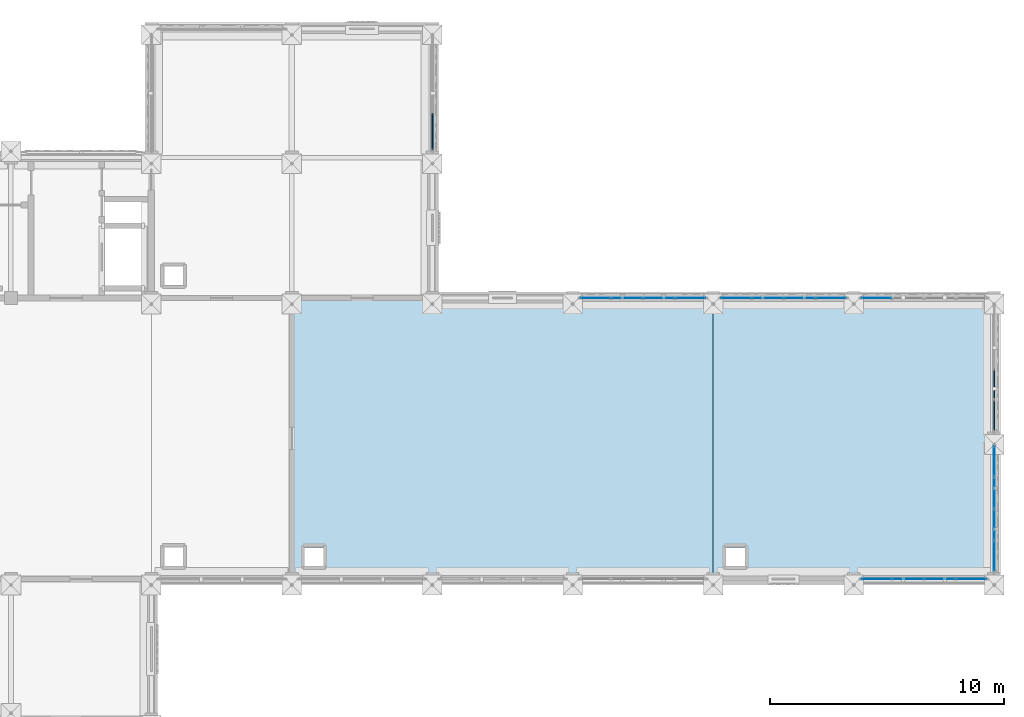
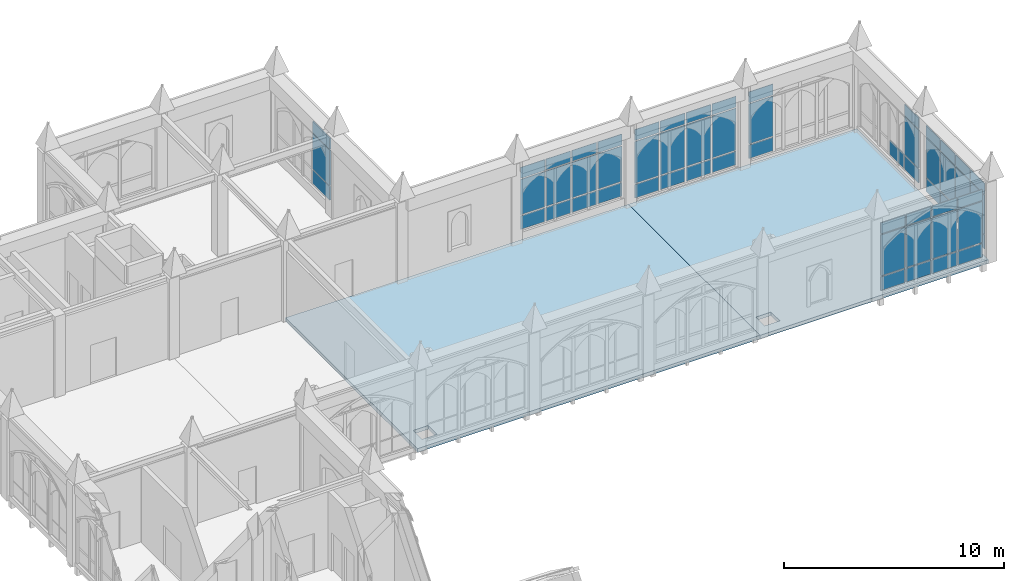
# One storey, part 71 of 108: 58 plates, 2 slabs, 7 elements without a shape of their own.
"""IFC4 building model written with IfcOpenShell, lengths in metres."""

from ifc_helpers import new_model, si_unit, direction, frame, origin, origin_2d, place, context, subcontext, project, spatial, polyline, rectangle, outline, extrude, material, layer, layer_set, type_object, element, aggregate, save


model = new_model("IFC4")

# Units and contexts
model_context = context("Model", 3, precision=1e-05, world=origin(), true_north=direction((0.0, 1.0)))
body_context = subcontext(model_context, "Body", "Model", "MODEL_VIEW")
ifc_project = project(units=[si_unit("LENGTHUNIT", "METRE"), si_unit("AREAUNIT", "SQUARE_METRE"), si_unit("VOLUMEUNIT", "CUBIC_METRE"), si_unit("PLANEANGLEUNIT", "RADIAN"), si_unit("MASSUNIT", "GRAM", prefix="KILO")], contexts=[model_context])

# Site, building, storey
site_placement = place(None, origin())
site = spatial("IfcSite", under=ifc_project, at=site_placement, CompositionType="ELEMENT")
building_placement = place(site_placement, origin())
building = spatial("IfcBuilding", under=site, at=building_placement, Name="Cumevento Cable Car Station", CompositionType="ELEMENT")
storey_placement = place(building_placement, frame((0.0, 0.0, 13.5)))
storey = spatial("IfcBuildingStorey", under=building, at=storey_placement, Name="L04", CompositionType="ELEMENT", Elevation=13.5)

# Slabs
ifc_material_1 = material(Name="Concrete C40/50", Category="concrete")
ifc_layer_1 = layer(ifc_material_1, 0.199951171875)
ifc_layer_set_1 = layer_set([ifc_layer_1], Name="Concrete C40/50")
slab_type = type_object("IfcSlabType", Name="Concrete Deck FS-200 200", PredefinedType="FLOOR", material=ifc_layer_set_1)
slab_1_placement = place(storey_placement, frame((0.0, 0.0, -0.199951171875)))
element("IfcSlab", 1, at=slab_1_placement, inside=storey, type_object=slab_type, Name="Floor Slab FS-200 L04 B_V5b.1", PredefinedType="FLOOR", context=body_context, shape_type="SweptSolid", body=[
    extrude(outline(polyline([(136.0, 33.0), (154.0, 33.0), (154.0, 45.0), (136.0, 45.0), (136.0, 33.0)]), holes=[polyline([(136.550048828125, 33.550048828125), (137.35009765625, 33.550048828125), (137.35009765625, 34.35009765625), (136.550048828125, 34.35009765625), (136.550048828125, 33.550048828125)])]), origin(), (0.0, 0.0, 1.0), 0.199951171875),
])
slab_2_placement = place(storey_placement, frame((0.0, 0.0, -0.199951171875)))
element("IfcSlab", 2, at=slab_2_placement, inside=storey, type_object=slab_type, Name="Floor Slab FS-200 L04 B_V5b.2", PredefinedType="FLOOR", context=body_context, shape_type="SweptSolid", body=[
    extrude(outline(polyline([(154.0, 33.0), (166.0, 33.0), (166.0, 45.0), (154.0, 45.0), (154.0, 33.0)]), holes=[polyline([(154.550048828125, 33.550048828125), (155.35009765625, 33.550048828125), (155.35009765625, 34.35009765625), (154.550048828125, 34.35009765625), (154.550048828125, 33.550048828125)])]), origin(), (0.0, 0.0, 1.0), 0.199951171875),
])

# Curtain wall, plates
ifc_material_2 = material(Name="Anodised Bronze Aluminium AW-6063-T6", Category="aluminium")
ifc_layer_2 = layer(ifc_material_2, 0.201904296875)
ifc_layer_set_2 = layer_set([ifc_layer_2], Name="Anodised Bronze Aluminium AW-6063-T6")
curtain_wall_type_1 = type_object("IfcCurtainWallType", Name="Lancet Curtain Wall CW-08 1330", PredefinedType="NOTDEFINED", material=ifc_layer_set_2)
curtain_wall_1_placement = place(storey_placement, origin())
curtain_wall_1 = element("IfcCurtainWall", 3, at=curtain_wall_1_placement, inside=storey, type_object=curtain_wall_type_1, Name="Lancet Curtain Wall CW-08 L04 #183", PredefinedType="NOTDEFINED")
ifc_material_3 = material(Name="Solar Control Laminated Double Glazing", Category="glass")
ifc_layer_3 = layer(ifc_material_3, 0.02587890625)
ifc_layer_set_3 = layer_set([ifc_layer_3], Name="Solar Control Laminated Double Glazing")
plate_type_1 = type_object("IfcPlateType", Name="Glazed Panel CWP-02 26", PredefinedType="CURTAIN_PANEL", material=ifc_layer_set_3)
plate_1_placement = place(storey_placement, frame((148.972412109375, 45.0, 0.5849609375), z_axis=(0.0, 0.0, 1.0), x_axis=(1.0, 0.0, 0.0)))
plate_1 = element("IfcPlate", 4, at=plate_1_placement, type_object=plate_type_1, Name="CW-08 panel 1.1", PredefinedType="CURTAIN_PANEL", context=body_context, shape_type="SweptSolid", body=[
    extrude(rectangle(XDim=1.264892578125, YDim=0.02587890625, at=origin_2d()), origin(), (0.0, 0.0, 1.0), 0.75244140625),
])
plate_2_placement = place(storey_placement, frame((148.972412109375, 45.0, 1.402587890625), z_axis=(0.0, 0.0, 1.0), x_axis=(1.0, 0.0, 0.0)))
plate_2 = element("IfcPlate", 5, at=plate_2_placement, type_object=plate_type_1, Name="CW-08 panel 1.2", PredefinedType="CURTAIN_PANEL", context=body_context, shape_type="SweptSolid", body=[
    extrude(rectangle(XDim=1.264892578125, YDim=0.02587890625, at=origin_2d()), origin(), (0.0, 0.0, 1.0), 1.9580078125),
])
plate_3_placement = place(storey_placement, frame((148.972412109375, 45.0, 3.425537109375), z_axis=(0.0, 0.0, 1.0), x_axis=(1.0, 0.0, 0.0)))
plate_3 = element("IfcPlate", 6, at=plate_3_placement, type_object=plate_type_1, Name="CW-08 panel 1.3", PredefinedType="CURTAIN_PANEL", context=body_context, shape_type="SweptSolid", body=[
    extrude(rectangle(XDim=1.264892578125, YDim=0.02587890625, at=origin_2d()), origin(), (0.0, 0.0, 1.0), 0.6025390625),
])
plate_4_placement = place(storey_placement, frame((150.31884765625, 45.0, 0.5849609375), z_axis=(0.0, 0.0, 1.0), x_axis=(1.0, 0.0, 0.0)))
plate_4 = element("IfcPlate", 7, at=plate_4_placement, type_object=plate_type_1, Name="CW-08 panel 2.1", PredefinedType="CURTAIN_PANEL", context=body_context, shape_type="SweptSolid", body=[
    extrude(rectangle(XDim=1.297607421875, YDim=0.02587890625, at=origin_2d()), origin(), (0.0, 0.0, 1.0), 0.75244140625),
])
plate_5_placement = place(storey_placement, frame((150.31884765625, 45.0, 1.402587890625), z_axis=(0.0, 0.0, 1.0), x_axis=(1.0, 0.0, 0.0)))
plate_5 = element("IfcPlate", 8, at=plate_5_placement, type_object=plate_type_1, Name="CW-08 panel 2.2", PredefinedType="CURTAIN_PANEL", context=body_context, shape_type="SweptSolid", body=[
    extrude(rectangle(XDim=1.297607421875, YDim=0.02587890625, at=origin_2d()), origin(), (0.0, 0.0, 1.0), 1.9580078125),
])
plate_6_placement = place(storey_placement, frame((150.31884765625, 45.0, 3.425537109375), z_axis=(0.0, 0.0, 1.0), x_axis=(1.0, 0.0, 0.0)))
plate_6 = element("IfcPlate", 9, at=plate_6_placement, type_object=plate_type_1, Name="CW-08 panel 2.3", PredefinedType="CURTAIN_PANEL", context=body_context, shape_type="SweptSolid", body=[
    extrude(rectangle(XDim=1.297607421875, YDim=0.02587890625, at=origin_2d()), origin(), (0.0, 0.0, 1.0), 0.6025390625),
])
plate_7_placement = place(storey_placement, frame((151.68115234375, 45.0, 0.5849609375), z_axis=(0.0, 0.0, 1.0), x_axis=(1.0, 0.0, 0.0)))
plate_7 = element("IfcPlate", 10, at=plate_7_placement, type_object=plate_type_1, Name="CW-08 panel 3.1", PredefinedType="CURTAIN_PANEL", context=body_context, shape_type="SweptSolid", body=[
    extrude(rectangle(XDim=1.297607421875, YDim=0.02587890625, at=origin_2d()), origin(), (0.0, 0.0, 1.0), 0.75244140625),
])
plate_8_placement = place(storey_placement, frame((151.68115234375, 45.0, 1.402587890625), z_axis=(0.0, 0.0, 1.0), x_axis=(1.0, 0.0, 0.0)))
plate_8 = element("IfcPlate", 11, at=plate_8_placement, type_object=plate_type_1, Name="CW-08 panel 3.2", PredefinedType="CURTAIN_PANEL", context=body_context, shape_type="SweptSolid", body=[
    extrude(rectangle(XDim=1.297607421875, YDim=0.02587890625, at=origin_2d()), origin(), (0.0, 0.0, 1.0), 1.9580078125),
])
plate_9_placement = place(storey_placement, frame((151.68115234375, 45.0, 3.425537109375), z_axis=(0.0, 0.0, 1.0), x_axis=(1.0, 0.0, 0.0)))
plate_9 = element("IfcPlate", 12, at=plate_9_placement, type_object=plate_type_1, Name="CW-08 panel 3.3", PredefinedType="CURTAIN_PANEL", context=body_context, shape_type="SweptSolid", body=[
    extrude(rectangle(XDim=1.297607421875, YDim=0.02587890625, at=origin_2d()), origin(), (0.0, 0.0, 1.0), 0.6025390625),
])
plate_10_placement = place(storey_placement, frame((153.027587890625, 45.0, 0.5849609375), z_axis=(0.0, 0.0, 1.0), x_axis=(1.0, 0.0, 0.0)))
plate_10 = element("IfcPlate", 13, at=plate_10_placement, type_object=plate_type_1, Name="CW-08 panel 4.1", PredefinedType="CURTAIN_PANEL", context=body_context, shape_type="SweptSolid", body=[
    extrude(rectangle(XDim=1.264892578125, YDim=0.02587890625, at=origin_2d()), origin(), (0.0, 0.0, 1.0), 0.75244140625),
])
plate_11_placement = place(storey_placement, frame((153.027587890625, 45.0, 1.402587890625), z_axis=(0.0, 0.0, 1.0), x_axis=(1.0, 0.0, 0.0)))
plate_11 = element("IfcPlate", 14, at=plate_11_placement, type_object=plate_type_1, Name="CW-08 panel 4.2", PredefinedType="CURTAIN_PANEL", context=body_context, shape_type="SweptSolid", body=[
    extrude(rectangle(XDim=1.264892578125, YDim=0.02587890625, at=origin_2d()), origin(), (0.0, 0.0, 1.0), 1.9580078125),
])
plate_12_placement = place(storey_placement, frame((153.027587890625, 45.0, 3.425537109375), z_axis=(0.0, 0.0, 1.0), x_axis=(1.0, 0.0, 0.0)))
plate_12 = element("IfcPlate", 15, at=plate_12_placement, type_object=plate_type_1, Name="CW-08 panel 4.3", PredefinedType="CURTAIN_PANEL", context=body_context, shape_type="SweptSolid", body=[
    extrude(rectangle(XDim=1.264892578125, YDim=0.02587890625, at=origin_2d()), origin(), (0.0, 0.0, 1.0), 0.6025390625),
])
aggregate(curtain_wall_1, [plate_1, plate_2, plate_3, plate_4, plate_5, plate_6, plate_7, plate_8, plate_9, plate_10, plate_11, plate_12])

ifc_material_4 = material(Name="Anodised Bronze Aluminium AW-6063-T6", Category="aluminium")
ifc_layer_4 = layer(ifc_material_4, 0.2080078125)
ifc_layer_set_4 = layer_set([ifc_layer_4], Name="Anodised Bronze Aluminium AW-6063-T6")
curtain_wall_type_2 = type_object("IfcCurtainWallType", Name="Lancet Curtain Wall CW-09 1370", PredefinedType="NOTDEFINED", material=ifc_layer_set_4)
curtain_wall_2_placement = place(storey_placement, origin())
curtain_wall_2 = element("IfcCurtainWall", 16, at=curtain_wall_2_placement, inside=storey, type_object=curtain_wall_type_2, Name="Lancet Curtain Wall CW-09 L04 #184", PredefinedType="NOTDEFINED")
ifc_material_5 = material(Name="Solar Control Laminated Double Glazing", Category="glass")
ifc_layer_5 = layer(ifc_material_5, 0.030029296875)
ifc_layer_set_5 = layer_set([ifc_layer_5], Name="Solar Control Laminated Double Glazing")
plate_type_2 = type_object("IfcPlateType", Name="Glazed Panel CWP-03 30", PredefinedType="CURTAIN_PANEL", material=ifc_layer_set_5)
plate_13_placement = place(storey_placement, frame((154.972412109375, 45.0, 0.22509765625), z_axis=(0.0, 0.0, 1.0), x_axis=(1.0, 0.0, 0.0)))
plate_13 = element("IfcPlate", 17, at=plate_13_placement, type_object=plate_type_2, Name="CW-09 panel 1.1", PredefinedType="CURTAIN_PANEL", context=body_context, shape_type="SweptSolid", body=[
    extrude(rectangle(XDim=1.264892578125, YDim=0.030029296875, at=origin_2d()), origin(), (0.0, 0.0, 1.0), 0.75244140625),
])
plate_14_placement = place(storey_placement, frame((154.972412109375, 45.0, 1.04248046875), z_axis=(0.0, 0.0, 1.0), x_axis=(1.0, 0.0, 0.0)))
plate_14 = element("IfcPlate", 18, at=plate_14_placement, type_object=plate_type_2, Name="CW-09 panel 1.2", PredefinedType="CURTAIN_PANEL", context=body_context, shape_type="SweptSolid", body=[
    extrude(rectangle(XDim=1.264892578125, YDim=0.030029296875, at=origin_2d()), origin(), (0.0, 0.0, 1.0), 2.318115234375),
])
plate_15_placement = place(storey_placement, frame((154.972412109375, 45.0, 3.425537109375), z_axis=(0.0, 0.0, 1.0), x_axis=(1.0, 0.0, 0.0)))
plate_15 = element("IfcPlate", 19, at=plate_15_placement, type_object=plate_type_2, Name="CW-09 panel 1.3", PredefinedType="CURTAIN_PANEL", context=body_context, shape_type="SweptSolid", body=[
    extrude(rectangle(XDim=1.264892578125, YDim=0.030029296875, at=origin_2d()), origin(), (0.0, 0.0, 1.0), 0.6025390625),
])
plate_16_placement = place(storey_placement, frame((156.31884765625, 45.0, 0.22509765625), z_axis=(0.0, 0.0, 1.0), x_axis=(1.0, 0.0, 0.0)))
plate_16 = element("IfcPlate", 20, at=plate_16_placement, type_object=plate_type_2, Name="CW-09 panel 2.1", PredefinedType="CURTAIN_PANEL", context=body_context, shape_type="SweptSolid", body=[
    extrude(rectangle(XDim=1.297607421875, YDim=0.030029296875, at=origin_2d()), origin(), (0.0, 0.0, 1.0), 0.75244140625),
])
plate_17_placement = place(storey_placement, frame((156.31884765625, 45.0, 1.04248046875), z_axis=(0.0, 0.0, 1.0), x_axis=(1.0, 0.0, 0.0)))
plate_17 = element("IfcPlate", 21, at=plate_17_placement, type_object=plate_type_2, Name="CW-09 panel 2.2", PredefinedType="CURTAIN_PANEL", context=body_context, shape_type="SweptSolid", body=[
    extrude(rectangle(XDim=1.297607421875, YDim=0.030029296875, at=origin_2d()), origin(), (0.0, 0.0, 1.0), 2.318115234375),
])
plate_18_placement = place(storey_placement, frame((156.31884765625, 45.0, 3.425537109375), z_axis=(0.0, 0.0, 1.0), x_axis=(1.0, 0.0, 0.0)))
plate_18 = element("IfcPlate", 22, at=plate_18_placement, type_object=plate_type_2, Name="CW-09 panel 2.3", PredefinedType="CURTAIN_PANEL", context=body_context, shape_type="SweptSolid", body=[
    extrude(rectangle(XDim=1.297607421875, YDim=0.030029296875, at=origin_2d()), origin(), (0.0, 0.0, 1.0), 0.6025390625),
])
plate_19_placement = place(storey_placement, frame((157.68115234375, 45.0, 0.22509765625), z_axis=(0.0, 0.0, 1.0), x_axis=(1.0, 0.0, 0.0)))
plate_19 = element("IfcPlate", 23, at=plate_19_placement, type_object=plate_type_2, Name="CW-09 panel 3.1", PredefinedType="CURTAIN_PANEL", context=body_context, shape_type="SweptSolid", body=[
    extrude(rectangle(XDim=1.297607421875, YDim=0.030029296875, at=origin_2d()), origin(), (0.0, 0.0, 1.0), 0.75244140625),
])
plate_20_placement = place(storey_placement, frame((157.68115234375, 45.0, 1.04248046875), z_axis=(0.0, 0.0, 1.0), x_axis=(1.0, 0.0, 0.0)))
plate_20 = element("IfcPlate", 24, at=plate_20_placement, type_object=plate_type_2, Name="CW-09 panel 3.2", PredefinedType="CURTAIN_PANEL", context=body_context, shape_type="SweptSolid", body=[
    extrude(rectangle(XDim=1.297607421875, YDim=0.030029296875, at=origin_2d()), origin(), (0.0, 0.0, 1.0), 2.318115234375),
])
plate_21_placement = place(storey_placement, frame((157.68115234375, 45.0, 3.425537109375), z_axis=(0.0, 0.0, 1.0), x_axis=(1.0, 0.0, 0.0)))
plate_21 = element("IfcPlate", 25, at=plate_21_placement, type_object=plate_type_2, Name="CW-09 panel 3.3", PredefinedType="CURTAIN_PANEL", context=body_context, shape_type="SweptSolid", body=[
    extrude(rectangle(XDim=1.297607421875, YDim=0.030029296875, at=origin_2d()), origin(), (0.0, 0.0, 1.0), 0.6025390625),
])
plate_22_placement = place(storey_placement, frame((159.027587890625, 45.0, 0.22509765625), z_axis=(0.0, 0.0, 1.0), x_axis=(1.0, 0.0, 0.0)))
plate_22 = element("IfcPlate", 26, at=plate_22_placement, type_object=plate_type_2, Name="CW-09 panel 4.1", PredefinedType="CURTAIN_PANEL", context=body_context, shape_type="SweptSolid", body=[
    extrude(rectangle(XDim=1.264892578125, YDim=0.030029296875, at=origin_2d()), origin(), (0.0, 0.0, 1.0), 0.75244140625),
])
plate_23_placement = place(storey_placement, frame((159.027587890625, 45.0, 1.04248046875), z_axis=(0.0, 0.0, 1.0), x_axis=(1.0, 0.0, 0.0)))
plate_23 = element("IfcPlate", 27, at=plate_23_placement, type_object=plate_type_2, Name="CW-09 panel 4.2", PredefinedType="CURTAIN_PANEL", context=body_context, shape_type="SweptSolid", body=[
    extrude(rectangle(XDim=1.264892578125, YDim=0.030029296875, at=origin_2d()), origin(), (0.0, 0.0, 1.0), 2.318115234375),
])
plate_24_placement = place(storey_placement, frame((159.027587890625, 45.0, 3.425537109375), z_axis=(0.0, 0.0, 1.0), x_axis=(1.0, 0.0, 0.0)))
plate_24 = element("IfcPlate", 28, at=plate_24_placement, type_object=plate_type_2, Name="CW-09 panel 4.3", PredefinedType="CURTAIN_PANEL", context=body_context, shape_type="SweptSolid", body=[
    extrude(rectangle(XDim=1.264892578125, YDim=0.030029296875, at=origin_2d()), origin(), (0.0, 0.0, 1.0), 0.6025390625),
])
aggregate(curtain_wall_2, [plate_13, plate_14, plate_15, plate_16, plate_17, plate_18, plate_19, plate_20, plate_21, plate_22, plate_23, plate_24])

ifc_material_6 = material(Name="Anodised Bronze Aluminium AW-6063-T6", Category="aluminium")
ifc_layer_6 = layer(ifc_material_6, 0.214111328125)
ifc_layer_set_6 = layer_set([ifc_layer_6], Name="Anodised Bronze Aluminium AW-6063-T6")
curtain_wall_type_3 = type_object("IfcCurtainWallType", Name="Lancet Curtain Wall CW-10 1410", PredefinedType="NOTDEFINED", material=ifc_layer_set_6)
curtain_wall_3_placement = place(storey_placement, origin())
curtain_wall_3 = element("IfcCurtainWall", 29, at=curtain_wall_3_placement, inside=storey, type_object=curtain_wall_type_3, Name="Lancet Curtain Wall CW-10 L04 #185", PredefinedType="NOTDEFINED")
ifc_material_7 = material(Name="Solar Control Laminated Double Glazing", Category="glass")
ifc_layer_7 = layer(ifc_material_7, 0.033935546875)
ifc_layer_set_7 = layer_set([ifc_layer_7], Name="Solar Control Laminated Double Glazing")
plate_type_3 = type_object("IfcPlateType", Name="Glazed Panel CWP-04 34", PredefinedType="CURTAIN_PANEL", material=ifc_layer_set_7)
plate_25_placement = place(storey_placement, frame((165.027587890625, 33.0, 0.275146484375), z_axis=(0.0, 0.0, 1.0), x_axis=(-1.0, 0.0, 0.0)))
plate_25 = element("IfcPlate", 30, at=plate_25_placement, type_object=plate_type_3, Name="CW-10 panel 1.1", PredefinedType="CURTAIN_PANEL", context=body_context, shape_type="SweptSolid", body=[
    extrude(rectangle(XDim=1.264892578125, YDim=0.033935546875, at=origin_2d()), origin(), (0.0, 0.0, 1.0), 0.75244140625),
])
plate_26_placement = place(storey_placement, frame((165.027587890625, 33.0, 1.092529296875), z_axis=(0.0, 0.0, 1.0), x_axis=(-1.0, 0.0, 0.0)))
plate_26 = element("IfcPlate", 31, at=plate_26_placement, type_object=plate_type_3, Name="CW-10 panel 1.2", PredefinedType="CURTAIN_PANEL", context=body_context, shape_type="SweptSolid", body=[
    extrude(rectangle(XDim=1.264892578125, YDim=0.033935546875, at=origin_2d()), origin(), (0.0, 0.0, 1.0), 2.26806640625),
])
plate_27_placement = place(storey_placement, frame((165.027587890625, 33.0, 3.425537109375), z_axis=(0.0, 0.0, 1.0), x_axis=(-1.0, 0.0, 0.0)))
plate_27 = element("IfcPlate", 32, at=plate_27_placement, type_object=plate_type_3, Name="CW-10 panel 1.3", PredefinedType="CURTAIN_PANEL", context=body_context, shape_type="SweptSolid", body=[
    extrude(rectangle(XDim=1.264892578125, YDim=0.033935546875, at=origin_2d()), origin(), (0.0, 0.0, 1.0), 0.6025390625),
])
plate_28_placement = place(storey_placement, frame((163.68115234375, 33.0, 0.275146484375), z_axis=(0.0, 0.0, 1.0), x_axis=(-1.0, 0.0, 0.0)))
plate_28 = element("IfcPlate", 33, at=plate_28_placement, type_object=plate_type_3, Name="CW-10 panel 2.1", PredefinedType="CURTAIN_PANEL", context=body_context, shape_type="SweptSolid", body=[
    extrude(rectangle(XDim=1.297607421875, YDim=0.033935546875, at=origin_2d()), origin(), (0.0, 0.0, 1.0), 0.75244140625),
])
plate_29_placement = place(storey_placement, frame((163.68115234375, 33.0, 1.092529296875), z_axis=(0.0, 0.0, 1.0), x_axis=(-1.0, 0.0, 0.0)))
plate_29 = element("IfcPlate", 34, at=plate_29_placement, type_object=plate_type_3, Name="CW-10 panel 2.2", PredefinedType="CURTAIN_PANEL", context=body_context, shape_type="SweptSolid", body=[
    extrude(rectangle(XDim=1.297607421875, YDim=0.033935546875, at=origin_2d()), origin(), (0.0, 0.0, 1.0), 2.26806640625),
])
plate_30_placement = place(storey_placement, frame((163.68115234375, 33.0, 3.425537109375), z_axis=(0.0, 0.0, 1.0), x_axis=(-1.0, 0.0, 0.0)))
plate_30 = element("IfcPlate", 35, at=plate_30_placement, type_object=plate_type_3, Name="CW-10 panel 2.3", PredefinedType="CURTAIN_PANEL", context=body_context, shape_type="SweptSolid", body=[
    extrude(rectangle(XDim=1.297607421875, YDim=0.033935546875, at=origin_2d()), origin(), (0.0, 0.0, 1.0), 0.6025390625),
])
plate_31_placement = place(storey_placement, frame((162.31884765625, 33.0, 0.275146484375), z_axis=(0.0, 0.0, 1.0), x_axis=(-1.0, 0.0, 0.0)))
plate_31 = element("IfcPlate", 36, at=plate_31_placement, type_object=plate_type_3, Name="CW-10 panel 3.1", PredefinedType="CURTAIN_PANEL", context=body_context, shape_type="SweptSolid", body=[
    extrude(rectangle(XDim=1.297607421875, YDim=0.033935546875, at=origin_2d()), origin(), (0.0, 0.0, 1.0), 0.75244140625),
])
plate_32_placement = place(storey_placement, frame((162.31884765625, 33.0, 1.092529296875), z_axis=(0.0, 0.0, 1.0), x_axis=(-1.0, 0.0, 0.0)))
plate_32 = element("IfcPlate", 37, at=plate_32_placement, type_object=plate_type_3, Name="CW-10 panel 3.2", PredefinedType="CURTAIN_PANEL", context=body_context, shape_type="SweptSolid", body=[
    extrude(rectangle(XDim=1.297607421875, YDim=0.033935546875, at=origin_2d()), origin(), (0.0, 0.0, 1.0), 2.26806640625),
])
plate_33_placement = place(storey_placement, frame((162.31884765625, 33.0, 3.425537109375), z_axis=(0.0, 0.0, 1.0), x_axis=(-1.0, 0.0, 0.0)))
plate_33 = element("IfcPlate", 38, at=plate_33_placement, type_object=plate_type_3, Name="CW-10 panel 3.3", PredefinedType="CURTAIN_PANEL", context=body_context, shape_type="SweptSolid", body=[
    extrude(rectangle(XDim=1.297607421875, YDim=0.033935546875, at=origin_2d()), origin(), (0.0, 0.0, 1.0), 0.6025390625),
])
plate_34_placement = place(storey_placement, frame((160.972412109375, 33.0, 0.275146484375), z_axis=(0.0, 0.0, 1.0), x_axis=(-1.0, 0.0, 0.0)))
plate_34 = element("IfcPlate", 39, at=plate_34_placement, type_object=plate_type_3, Name="CW-10 panel 4.1", PredefinedType="CURTAIN_PANEL", context=body_context, shape_type="SweptSolid", body=[
    extrude(rectangle(XDim=1.264892578125, YDim=0.033935546875, at=origin_2d()), origin(), (0.0, 0.0, 1.0), 0.75244140625),
])
plate_35_placement = place(storey_placement, frame((160.972412109375, 33.0, 1.092529296875), z_axis=(0.0, 0.0, 1.0), x_axis=(-1.0, 0.0, 0.0)))
plate_35 = element("IfcPlate", 40, at=plate_35_placement, type_object=plate_type_3, Name="CW-10 panel 4.2", PredefinedType="CURTAIN_PANEL", context=body_context, shape_type="SweptSolid", body=[
    extrude(rectangle(XDim=1.264892578125, YDim=0.033935546875, at=origin_2d()), origin(), (0.0, 0.0, 1.0), 2.26806640625),
])
plate_36_placement = place(storey_placement, frame((160.972412109375, 33.0, 3.425537109375), z_axis=(0.0, 0.0, 1.0), x_axis=(-1.0, 0.0, 0.0)))
plate_36 = element("IfcPlate", 41, at=plate_36_placement, type_object=plate_type_3, Name="CW-10 panel 4.3", PredefinedType="CURTAIN_PANEL", context=body_context, shape_type="SweptSolid", body=[
    extrude(rectangle(XDim=1.264892578125, YDim=0.033935546875, at=origin_2d()), origin(), (0.0, 0.0, 1.0), 0.6025390625),
])
aggregate(curtain_wall_3, [plate_25, plate_26, plate_27, plate_28, plate_29, plate_30, plate_31, plate_32, plate_33, plate_34, plate_35, plate_36])

ifc_material_8 = material(Name="Anodised Bronze Aluminium AW-6063-T6", Category="aluminium")
ifc_layer_8 = layer(ifc_material_8, 0.219970703125)
ifc_layer_set_8 = layer_set([ifc_layer_8], Name="Anodised Bronze Aluminium AW-6063-T6")
curtain_wall_type_4 = type_object("IfcCurtainWallType", Name="Lancet Curtain Wall CW-11 1450", PredefinedType="NOTDEFINED", material=ifc_layer_set_8)
curtain_wall_4_placement = place(storey_placement, origin())
curtain_wall_4 = element("IfcCurtainWall", 42, at=curtain_wall_4_placement, inside=storey, type_object=curtain_wall_type_4, Name="Lancet Curtain Wall CW-11 L04 #186", PredefinedType="NOTDEFINED")
ifc_material_9 = material(Name="Solar Control Laminated Double Glazing", Category="glass")
ifc_layer_9 = layer(ifc_material_9, 0.0380859375)
ifc_layer_set_9 = layer_set([ifc_layer_9], Name="Solar Control Laminated Double Glazing")
plate_type_4 = type_object("IfcPlateType", Name="Glazed Panel CWP-05 38", PredefinedType="CURTAIN_PANEL", material=ifc_layer_set_9)
plate_37_placement = place(storey_placement, frame((160.972412109375, 45.0, 0.324951171875), z_axis=(0.0, 0.0, 1.0), x_axis=(1.0, 0.0, 0.0)))
plate_37 = element("IfcPlate", 43, at=plate_37_placement, type_object=plate_type_4, Name="CW-11 panel 1.1", PredefinedType="CURTAIN_PANEL", context=body_context, shape_type="SweptSolid", body=[
    extrude(rectangle(XDim=1.264892578125, YDim=0.0380859375, at=origin_2d()), origin(), (0.0, 0.0, 1.0), 0.75244140625),
])
plate_38_placement = place(storey_placement, frame((160.972412109375, 45.0, 1.142578125), z_axis=(0.0, 0.0, 1.0), x_axis=(1.0, 0.0, 0.0)))
plate_38 = element("IfcPlate", 44, at=plate_38_placement, type_object=plate_type_4, Name="CW-11 panel 1.2", PredefinedType="CURTAIN_PANEL", context=body_context, shape_type="SweptSolid", body=[
    extrude(rectangle(XDim=1.264892578125, YDim=0.0380859375, at=origin_2d()), origin(), (0.0, 0.0, 1.0), 2.218017578125),
])
plate_39_placement = place(storey_placement, frame((160.972412109375, 45.0, 3.425537109375), z_axis=(0.0, 0.0, 1.0), x_axis=(1.0, 0.0, 0.0)))
plate_39 = element("IfcPlate", 45, at=plate_39_placement, type_object=plate_type_4, Name="CW-11 panel 1.3", PredefinedType="CURTAIN_PANEL", context=body_context, shape_type="SweptSolid", body=[
    extrude(rectangle(XDim=1.264892578125, YDim=0.0380859375, at=origin_2d()), origin(), (0.0, 0.0, 1.0), 0.6025390625),
])
aggregate(curtain_wall_4, [plate_37, plate_38, plate_39])

ifc_material_10 = material(Name="Anodised Bronze Aluminium AW-6063-T6", Category="aluminium")
ifc_layer_10 = layer(ifc_material_10, 0.22607421875)
ifc_layer_set_10 = layer_set([ifc_layer_10], Name="Anodised Bronze Aluminium AW-6063-T6")
curtain_wall_type_5 = type_object("IfcCurtainWallType", Name="Lancet Curtain Wall CW-12 1490", PredefinedType="NOTDEFINED", material=ifc_layer_set_10)
curtain_wall_5_placement = place(storey_placement, origin())
curtain_wall_5 = element("IfcCurtainWall", 46, at=curtain_wall_5_placement, inside=storey, type_object=curtain_wall_type_5, Name="Lancet Curtain Wall CW-12 L04 #187", PredefinedType="NOTDEFINED")
ifc_material_11 = material(Name="Solar Control Laminated Double Glazing", Category="glass")
ifc_layer_11 = layer(ifc_material_11, 0.0419921875)
ifc_layer_set_11 = layer_set([ifc_layer_11], Name="Solar Control Laminated Double Glazing")
plate_type_5 = type_object("IfcPlateType", Name="Glazed Panel CWP-06 42", PredefinedType="CURTAIN_PANEL", material=ifc_layer_set_11)
plate_40_placement = place(storey_placement, frame((166.0, 38.027587890625, 0.375), z_axis=(0.0, 0.0, 1.0), x_axis=(0.0, -1.0, 0.0)))
plate_40 = element("IfcPlate", 47, at=plate_40_placement, type_object=plate_type_5, Name="CW-12 panel 1.1", PredefinedType="CURTAIN_PANEL", context=body_context, shape_type="SweptSolid", body=[
    extrude(rectangle(XDim=1.264892578125, YDim=0.0419921875, at=origin_2d()), origin(), (0.0, 0.0, 1.0), 0.75244140625),
])
plate_41_placement = place(storey_placement, frame((166.0, 38.027587890625, 1.192626953125), z_axis=(0.0, 0.0, 1.0), x_axis=(0.0, -1.0, 0.0)))
plate_41 = element("IfcPlate", 48, at=plate_41_placement, type_object=plate_type_5, Name="CW-12 panel 1.2", PredefinedType="CURTAIN_PANEL", context=body_context, shape_type="SweptSolid", body=[
    extrude(rectangle(XDim=1.264892578125, YDim=0.0419921875, at=origin_2d()), origin(), (0.0, 0.0, 1.0), 2.16796875),
])
plate_42_placement = place(storey_placement, frame((166.0, 38.027587890625, 3.425537109375), z_axis=(0.0, 0.0, 1.0), x_axis=(0.0, -1.0, 0.0)))
plate_42 = element("IfcPlate", 49, at=plate_42_placement, type_object=plate_type_5, Name="CW-12 panel 1.3", PredefinedType="CURTAIN_PANEL", context=body_context, shape_type="SweptSolid", body=[
    extrude(rectangle(XDim=1.264892578125, YDim=0.0419921875, at=origin_2d()), origin(), (0.0, 0.0, 1.0), 0.6025390625),
])
plate_43_placement = place(storey_placement, frame((166.0, 36.68115234375, 0.375), z_axis=(0.0, 0.0, 1.0), x_axis=(0.0, -1.0, 0.0)))
plate_43 = element("IfcPlate", 50, at=plate_43_placement, type_object=plate_type_5, Name="CW-12 panel 2.1", PredefinedType="CURTAIN_PANEL", context=body_context, shape_type="SweptSolid", body=[
    extrude(rectangle(XDim=1.297607421875, YDim=0.0419921875, at=origin_2d()), origin(), (0.0, 0.0, 1.0), 0.75244140625),
])
plate_44_placement = place(storey_placement, frame((166.0, 36.68115234375, 1.192626953125), z_axis=(0.0, 0.0, 1.0), x_axis=(0.0, -1.0, 0.0)))
plate_44 = element("IfcPlate", 51, at=plate_44_placement, type_object=plate_type_5, Name="CW-12 panel 2.2", PredefinedType="CURTAIN_PANEL", context=body_context, shape_type="SweptSolid", body=[
    extrude(rectangle(XDim=1.297607421875, YDim=0.0419921875, at=origin_2d()), origin(), (0.0, 0.0, 1.0), 2.16796875),
])
plate_45_placement = place(storey_placement, frame((166.0, 36.68115234375, 3.425537109375), z_axis=(0.0, 0.0, 1.0), x_axis=(0.0, -1.0, 0.0)))
plate_45 = element("IfcPlate", 52, at=plate_45_placement, type_object=plate_type_5, Name="CW-12 panel 2.3", PredefinedType="CURTAIN_PANEL", context=body_context, shape_type="SweptSolid", body=[
    extrude(rectangle(XDim=1.297607421875, YDim=0.0419921875, at=origin_2d()), origin(), (0.0, 0.0, 1.0), 0.6025390625),
])
plate_46_placement = place(storey_placement, frame((166.0, 35.31884765625, 0.375), z_axis=(0.0, 0.0, 1.0), x_axis=(0.0, -1.0, 0.0)))
plate_46 = element("IfcPlate", 53, at=plate_46_placement, type_object=plate_type_5, Name="CW-12 panel 3.1", PredefinedType="CURTAIN_PANEL", context=body_context, shape_type="SweptSolid", body=[
    extrude(rectangle(XDim=1.297607421875, YDim=0.0419921875, at=origin_2d()), origin(), (0.0, 0.0, 1.0), 0.75244140625),
])
plate_47_placement = place(storey_placement, frame((166.0, 35.31884765625, 1.192626953125), z_axis=(0.0, 0.0, 1.0), x_axis=(0.0, -1.0, 0.0)))
plate_47 = element("IfcPlate", 54, at=plate_47_placement, type_object=plate_type_5, Name="CW-12 panel 3.2", PredefinedType="CURTAIN_PANEL", context=body_context, shape_type="SweptSolid", body=[
    extrude(rectangle(XDim=1.297607421875, YDim=0.0419921875, at=origin_2d()), origin(), (0.0, 0.0, 1.0), 2.16796875),
])
plate_48_placement = place(storey_placement, frame((166.0, 35.31884765625, 3.425537109375), z_axis=(0.0, 0.0, 1.0), x_axis=(0.0, -1.0, 0.0)))
plate_48 = element("IfcPlate", 55, at=plate_48_placement, type_object=plate_type_5, Name="CW-12 panel 3.3", PredefinedType="CURTAIN_PANEL", context=body_context, shape_type="SweptSolid", body=[
    extrude(rectangle(XDim=1.297607421875, YDim=0.0419921875, at=origin_2d()), origin(), (0.0, 0.0, 1.0), 0.6025390625),
])
plate_49_placement = place(storey_placement, frame((166.0, 33.972412109375, 0.375), z_axis=(0.0, 0.0, 1.0), x_axis=(0.0, -1.0, 0.0)))
plate_49 = element("IfcPlate", 56, at=plate_49_placement, type_object=plate_type_5, Name="CW-12 panel 4.1", PredefinedType="CURTAIN_PANEL", context=body_context, shape_type="SweptSolid", body=[
    extrude(rectangle(XDim=1.264892578125, YDim=0.0419921875, at=origin_2d()), origin(), (0.0, 0.0, 1.0), 0.75244140625),
])
plate_50_placement = place(storey_placement, frame((166.0, 33.972412109375, 1.192626953125), z_axis=(0.0, 0.0, 1.0), x_axis=(0.0, -1.0, 0.0)))
plate_50 = element("IfcPlate", 57, at=plate_50_placement, type_object=plate_type_5, Name="CW-12 panel 4.2", PredefinedType="CURTAIN_PANEL", context=body_context, shape_type="SweptSolid", body=[
    extrude(rectangle(XDim=1.264892578125, YDim=0.0419921875, at=origin_2d()), origin(), (0.0, 0.0, 1.0), 2.16796875),
])
plate_51_placement = place(storey_placement, frame((166.0, 33.972412109375, 3.425537109375), z_axis=(0.0, 0.0, 1.0), x_axis=(0.0, -1.0, 0.0)))
plate_51 = element("IfcPlate", 58, at=plate_51_placement, type_object=plate_type_5, Name="CW-12 panel 4.3", PredefinedType="CURTAIN_PANEL", context=body_context, shape_type="SweptSolid", body=[
    extrude(rectangle(XDim=1.264892578125, YDim=0.0419921875, at=origin_2d()), origin(), (0.0, 0.0, 1.0), 0.6025390625),
])
aggregate(curtain_wall_5, [plate_40, plate_41, plate_42, plate_43, plate_44, plate_45, plate_46, plate_47, plate_48, plate_49, plate_50, plate_51])

ifc_material_12 = material(Name="Anodised Bronze Aluminium AW-6063-T6", Category="aluminium")
ifc_layer_12 = layer(ifc_material_12, 0.23193359375)
ifc_layer_set_12 = layer_set([ifc_layer_12], Name="Anodised Bronze Aluminium AW-6063-T6")
curtain_wall_type_6 = type_object("IfcCurtainWallType", Name="Lancet Curtain Wall CW-13 1530", PredefinedType="NOTDEFINED", material=ifc_layer_set_12)
curtain_wall_6_placement = place(storey_placement, origin())
curtain_wall_6 = element("IfcCurtainWall", 59, at=curtain_wall_6_placement, inside=storey, type_object=curtain_wall_type_6, Name="Lancet Curtain Wall CW-13 L04 #188", PredefinedType="NOTDEFINED")
ifc_material_13 = material(Name="Solar Control Laminated Double Glazing", Category="glass")
ifc_layer_13 = layer(ifc_material_13, 0.0458984375)
ifc_layer_set_13 = layer_set([ifc_layer_13], Name="Solar Control Laminated Double Glazing")
plate_type_6 = type_object("IfcPlateType", Name="Glazed Panel CWP-07 46", PredefinedType="CURTAIN_PANEL", material=ifc_layer_set_13)
plate_52_placement = place(storey_placement, frame((166.0, 41.31884765625, 0.425048828125), z_axis=(0.0, 0.0, 1.0), x_axis=(0.0, -1.0, 0.0)))
plate_52 = element("IfcPlate", 60, at=plate_52_placement, type_object=plate_type_6, Name="CW-13 panel 3.1", PredefinedType="CURTAIN_PANEL", context=body_context, shape_type="SweptSolid", body=[
    extrude(rectangle(XDim=1.297607421875, YDim=0.0458984375, at=origin_2d()), origin(), (0.0, 0.0, 1.0), 0.75244140625),
])
plate_53_placement = place(storey_placement, frame((166.0, 39.972412109375, 0.425048828125), z_axis=(0.0, 0.0, 1.0), x_axis=(0.0, -1.0, 0.0)))
plate_53 = element("IfcPlate", 61, at=plate_53_placement, type_object=plate_type_6, Name="CW-13 panel 4.1", PredefinedType="CURTAIN_PANEL", context=body_context, shape_type="SweptSolid", body=[
    extrude(rectangle(XDim=1.264892578125, YDim=0.0458984375, at=origin_2d()), origin(), (0.0, 0.0, 1.0), 0.75244140625),
])
plate_54_placement = place(storey_placement, frame((166.0, 39.972412109375, 1.24267578125), z_axis=(0.0, 0.0, 1.0), x_axis=(0.0, -1.0, 0.0)))
plate_54 = element("IfcPlate", 62, at=plate_54_placement, type_object=plate_type_6, Name="CW-13 panel 4.2", PredefinedType="CURTAIN_PANEL", context=body_context, shape_type="SweptSolid", body=[
    extrude(rectangle(XDim=1.264892578125, YDim=0.0458984375, at=origin_2d()), origin(), (0.0, 0.0, 1.0), 2.117919921875),
])
plate_55_placement = place(storey_placement, frame((166.0, 39.972412109375, 3.425537109375), z_axis=(0.0, 0.0, 1.0), x_axis=(0.0, -1.0, 0.0)))
plate_55 = element("IfcPlate", 63, at=plate_55_placement, type_object=plate_type_6, Name="CW-13 panel 4.3", PredefinedType="CURTAIN_PANEL", context=body_context, shape_type="SweptSolid", body=[
    extrude(rectangle(XDim=1.264892578125, YDim=0.0458984375, at=origin_2d()), origin(), (0.0, 0.0, 1.0), 0.6025390625),
])
aggregate(curtain_wall_6, [plate_52, plate_53, plate_54, plate_55])

ifc_material_14 = material(Name="Anodised Bronze Aluminium AW-6063-T6", Category="aluminium")
ifc_layer_14 = layer(ifc_material_14, 0.25)
ifc_layer_set_14 = layer_set([ifc_layer_14], Name="Anodised Bronze Aluminium AW-6063-T6")
curtain_wall_type_7 = type_object("IfcCurtainWallType", Name="Lancet Curtain Wall CW-16 1650", PredefinedType="NOTDEFINED", material=ifc_layer_set_14)
curtain_wall_7_placement = place(storey_placement, origin())
curtain_wall_7 = element("IfcCurtainWall", 64, at=curtain_wall_7_placement, inside=storey, type_object=curtain_wall_type_7, Name="Lancet Curtain Wall CW-16 L04 #191", PredefinedType="NOTDEFINED")
ifc_material_15 = material(Name="Insulated Bronze Aluminium Spandrel Panel", Category="aluminium")
ifc_layer_15 = layer(ifc_material_15, 0.06005859375)
ifc_layer_set_15 = layer_set([ifc_layer_15], Name="Insulated Bronze Aluminium Spandrel Panel")
plate_type_7 = type_object("IfcPlateType", Name="Spandrel Panel CWP-10 60", PredefinedType="CURTAIN_PANEL", material=ifc_layer_set_15)
plate_56_placement = place(storey_placement, frame((142.0, 52.1162109375, 0.5849609375), z_axis=(0.0, 0.0, 1.0), x_axis=(0.0, -1.0, 0.0)))
plate_56 = element("IfcPlate", 65, at=plate_56_placement, type_object=plate_type_7, Name="CW-16 panel 3.1", PredefinedType="CURTAIN_PANEL", context=body_context, shape_type="SweptSolid", body=[
    extrude(rectangle(XDim=1.552490234375, YDim=0.06005859375, at=origin_2d()), origin(), (0.0, 0.0, 1.0), 0.75244140625),
])
plate_57_placement = place(storey_placement, frame((142.0, 52.1162109375, 1.402587890625), z_axis=(0.0, 0.0, 1.0), x_axis=(0.0, -1.0, 0.0)))
plate_57 = element("IfcPlate", 66, at=plate_57_placement, type_object=plate_type_7, Name="CW-16 panel 3.2", PredefinedType="CURTAIN_PANEL", context=body_context, shape_type="SweptSolid", body=[
    extrude(rectangle(XDim=1.552490234375, YDim=0.06005859375, at=origin_2d()), origin(), (0.0, 0.0, 1.0), 1.9580078125),
])
plate_58_placement = place(storey_placement, frame((142.0, 52.1162109375, 3.425537109375), z_axis=(0.0, 0.0, 1.0), x_axis=(0.0, -1.0, 0.0)))
plate_58 = element("IfcPlate", 67, at=plate_58_placement, type_object=plate_type_7, Name="CW-16 panel 3.3", PredefinedType="CURTAIN_PANEL", context=body_context, shape_type="SweptSolid", body=[
    extrude(rectangle(XDim=1.552490234375, YDim=0.06005859375, at=origin_2d()), origin(), (0.0, 0.0, 1.0), 0.6025390625),
])
aggregate(curtain_wall_7, [plate_56, plate_57, plate_58])

save(model, "model.ifc")
